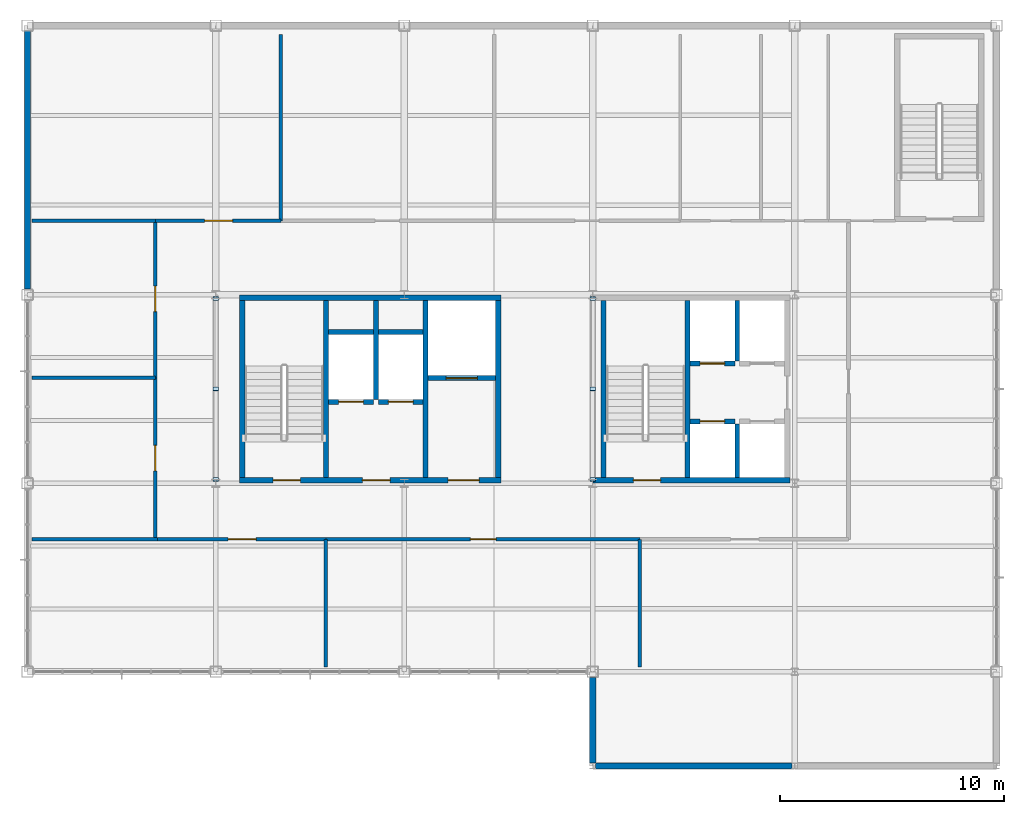
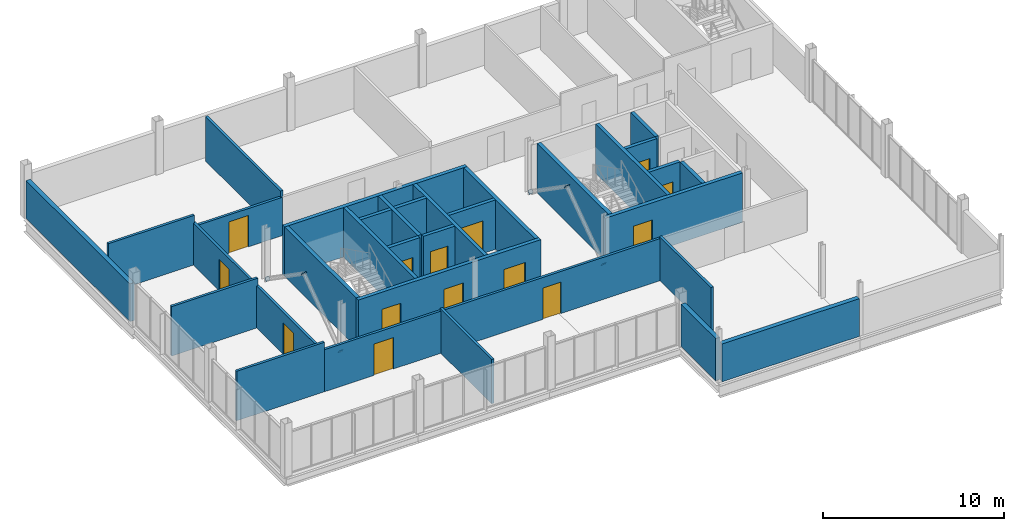
# One storey, part 12 of 16: 33 walls, 14 doors, 6 plates, 14 openings.
"""IFC4 building model written with IfcOpenShell, lengths in metres."""

from ifc_helpers import new_model, si_unit, direction, frame, frame_2d, origin, origin_2d, place, context, subcontext, project, spatial, rectangle, extrude, material, layer, layer_set, type_object, element, fill, save


model = new_model("IFC4")

# Units and contexts
model_context = context("Model", 3, precision=1e-05, world=origin(), true_north=direction((0.0, 1.0)))
body_context = subcontext(model_context, "Body", "Model", "MODEL_VIEW")
ifc_project = project(units=[si_unit("LENGTHUNIT", "METRE"), si_unit("AREAUNIT", "SQUARE_METRE"), si_unit("VOLUMEUNIT", "CUBIC_METRE"), si_unit("PLANEANGLEUNIT", "RADIAN"), si_unit("MASSUNIT", "GRAM", prefix="KILO")], contexts=[model_context])

# Site, building, storey
site_placement = place(None, origin())
site = spatial("IfcSite", under=ifc_project, at=site_placement, CompositionType="ELEMENT")
building_placement = place(site_placement, origin())
building = spatial("IfcBuilding", under=site, at=building_placement, Name="Yukiwa Park Conservatory and Herbarium", CompositionType="ELEMENT")
storey_placement = place(building_placement, frame((0.0, 0.0, 39.60009765625)))
storey = spatial("IfcBuildingStorey", under=building, at=storey_placement, Name="L10", CompositionType="ELEMENT", Elevation=39.60009765625)

# Plates
ifc_material_1 = material(Name="Steel Q355D", Category="steel")
ifc_layer_1 = layer(ifc_material_1, 0.02392578125)
ifc_layer_set_1 = layer_set([ifc_layer_1], Name="Steel Q355D")
plate_type = type_object("IfcPlateType", Name="PL-CAP-24-INT", PredefinedType="USERDEFINED", material=ifc_layer_set_1)
for number, where, z_axis, x_axis, name in (
    (1, (133.199951171875, 94.97705078125, 0.172607421875), (0.0, -0.822557603224, -0.56868179976), (1.0, 0.0, 0.0), "Hollow section end cap plate CAP-BR-L10-053A"),
    (2, (133.199951171875, 98.993408203125, 2.96240234375), (0.0, 0.822557603224, 0.56868179976), (-1.0, 0.0, 0.0), "Hollow section end cap plate CAP-BR-L10-053B"),
    (3, (133.199951171875, 103.02294921875, 0.172607421875), (0.0, 0.822557603224, -0.56868179976), (-1.0, 0.0, 0.0), "Hollow section end cap plate CAP-BR-L10-054A"),
    (4, (150.0, 94.97705078125, 0.172607421875), (0.0, -0.822557603224, -0.56868179976), (1.0, 0.0, 0.0), "Hollow section end cap plate CAP-BR-L10-055A"),
    (5, (150.0, 98.993408203125, 2.96240234375), (0.0, 0.822557603224, 0.56868179976), (-1.0, 0.0, 0.0), "Hollow section end cap plate CAP-BR-L10-055B"),
    (6, (150.0, 103.02294921875, 0.172607421875), (0.0, 0.822557603224, -0.56868179976), (-1.0, 0.0, 0.0), "Hollow section end cap plate CAP-BR-L10-056A"),
):
    element("IfcPlate", number, at=place(storey_placement, frame(where, z_axis=z_axis, x_axis=x_axis)), inside=storey, type_object=plate_type, Name=name, ObjectType="END CAP PLATE", PredefinedType="USERDEFINED", context=body_context, shape_type="SweptSolid", body=[
        extrude(rectangle(XDim=0.25244140625, YDim=0.25244140625, at=origin_2d()), origin(), (0.0, 0.0, 1.0), 0.02392578125),
    ])

# Walls
ifc_material_2 = material(Name="Concrete C40", Category="concrete")
ifc_layer_2 = layer(ifc_material_2, 0.219970703125)
ifc_layer_set_2 = layer_set([ifc_layer_2], Name="Concrete C40")
wall_type_1 = type_object("IfcWallType", Name="WL-CORE-RC220", PredefinedType="SHEAR", material=ifc_layer_set_2)
wall_1_placement = place(storey_placement, frame((138.110107421875, 95.050048828125, 0.0), z_axis=(0.0, 0.0, 1.0), x_axis=(0.0, 1.0, 0.0)))
element("IfcWall", 7, at=wall_1_placement, inside=storey, type_object=wall_type_1, Name="L10 core shear wall 615", PredefinedType="SHEAR", context=body_context, shape_type="SweptSolid", body=[
    extrude(rectangle(XDim=7.89990234375, YDim=0.219970703125, at=frame_2d((3.949951171875, 0.0))), origin(), (0.0, 0.0, 1.0), 3.341796875),
])
wall_2_placement = place(storey_placement, frame((140.330078125, 98.5400390625, 0.0), z_axis=(0.0, 0.0, 1.0), x_axis=(0.0, 1.0, 0.0)))
element("IfcWall", 8, at=wall_2_placement, inside=storey, type_object=wall_type_1, Name="L10 core shear wall 616", PredefinedType="SHEAR", context=body_context, shape_type="SweptSolid", body=[
    extrude(rectangle(XDim=4.409912109375, YDim=0.219970703125, at=frame_2d((2.205078125, 0.0))), origin(), (0.0, 0.0, 1.0), 3.341796875),
])
wall_3_placement = place(storey_placement, frame((142.550048828125, 95.050048828125, 0.0), z_axis=(0.0, 0.0, 1.0), x_axis=(0.0, 1.0, 0.0)))
element("IfcWall", 9, at=wall_3_placement, inside=storey, type_object=wall_type_1, Name="L10 core shear wall 617", PredefinedType="SHEAR", context=body_context, shape_type="SweptSolid", body=[
    extrude(rectangle(XDim=7.89990234375, YDim=0.219970703125, at=frame_2d((3.949951171875, 0.0))), origin(), (0.0, 0.0, 1.0), 3.341796875),
])

# Wall, opening, door
wall_4_placement = place(storey_placement, frame((138.219970703125, 98.429931640625, 0.0), z_axis=(0.0, 0.0, 1.0), x_axis=(1.0, 0.0, 0.0)))
wall_4 = element("IfcWall", 10, at=wall_4_placement, inside=storey, type_object=wall_type_1, Name="L10 core shear wall 619", PredefinedType="SHEAR", context=body_context, shape_type="SweptSolid", body=[
    extrude(rectangle(XDim=2.0, YDim=0.219970703125, at=frame_2d((1.0, 0.0))), origin(), (0.0, 0.0, 1.0), 3.341796875),
])
opening_1_placement = place(wall_4_placement, frame((0.449951171875, 0.0, 0.0)))
opening_1 = element("IfcOpeningElement", 11, at=opening_1_placement, cuts=wall_4, Name="Opening LD-01", PredefinedType="OPENING", context=body_context, shape_type="SweptSolid", body=[
    extrude(rectangle(XDim=1.10009765625, YDim=2.14990234375, at=frame_2d((0.550048828125, 1.074951171875))), frame((0.0, 0.1201171875, 0.0), z_axis=(0.0, -1.0, 0.0), x_axis=(1.0, 0.0, 0.0)), (0.0, 0.0, 1.0), 0.239990234375),
])
ifc_material_3 = material(Name="Steel Q235B", Category="steel")
door_type_1 = type_object("IfcDoorType", Name="DR-LIFT-LD1100", OperationType="SLIDING_TO_LEFT", PredefinedType="DOOR", material=ifc_material_3)
door_1_placement = place(opening_1_placement, origin())
door_1 = element("IfcDoor", 12, at=door_1_placement, inside=storey, type_object=door_type_1, Name="L10 Firefighting Lift FL1 sliding landing door", OperationType="SLIDING_TO_LEFT", OverallHeight=2.14990234375, OverallWidth=1.10009765625, PredefinedType="DOOR", context=body_context, shape_type="SweptSolid", body=[
    extrude(rectangle(XDim=1.10009765625, YDim=2.14990234375, at=frame_2d((0.550048828125, 1.074951171875))), frame((0.0, 0.02490234375, 0.0), z_axis=(0.0, -1.0, 0.0), x_axis=(1.0, 0.0, 0.0)), (0.0, 0.0, 1.0), 0.050048828125),
])
fill(opening_1, door_1)

wall_5_placement = place(storey_placement, frame((140.43994140625, 98.429931640625, 0.0), z_axis=(0.0, 0.0, 1.0), x_axis=(1.0, 0.0, 0.0)))
wall_5 = element("IfcWall", 13, at=wall_5_placement, inside=storey, type_object=wall_type_1, Name="L10 core shear wall 620", PredefinedType="SHEAR", context=body_context, shape_type="SweptSolid", body=[
    extrude(rectangle(XDim=2.0, YDim=0.219970703125, at=frame_2d((1.0, 0.0))), origin(), (0.0, 0.0, 1.0), 3.341796875),
])
opening_2_placement = place(wall_5_placement, frame((0.449951171875, 0.0, 0.0)))
opening_2 = element("IfcOpeningElement", 14, at=opening_2_placement, cuts=wall_5, Name="Opening LD-01", PredefinedType="OPENING", context=body_context, shape_type="SweptSolid", body=[
    extrude(rectangle(XDim=1.10009765625, YDim=2.14990234375, at=frame_2d((0.550048828125, 1.074951171875))), frame((0.0, 0.1201171875, 0.0), z_axis=(0.0, -1.0, 0.0), x_axis=(1.0, 0.0, 0.0)), (0.0, 0.0, 1.0), 0.239990234375),
])
door_2_placement = place(opening_2_placement, origin())
door_2 = element("IfcDoor", 15, at=door_2_placement, inside=storey, type_object=door_type_1, Name="L10 Firefighting Lift FL2 sliding landing door", OperationType="SLIDING_TO_LEFT", OverallHeight=2.14990234375, OverallWidth=1.10009765625, PredefinedType="DOOR", context=body_context, shape_type="SweptSolid", body=[
    extrude(rectangle(XDim=1.10009765625, YDim=2.14990234375, at=frame_2d((0.550048828125, 1.074951171875))), frame((0.0, 0.02490234375, 0.0), z_axis=(0.0, -1.0, 0.0), x_axis=(1.0, 0.0, 0.0)), (0.0, 0.0, 1.0), 0.050048828125),
])
fill(opening_2, door_2)

# Walls
for number, where, z_axis, x_axis, name in (
    (16, (138.219970703125, 101.550048828125, 0.0), (0.0, 0.0, 1.0), (1.0, 0.0, 0.0), "L10 core shear wall 621"),
    (17, (140.43994140625, 101.550048828125, 0.0), (0.0, 0.0, 1.0), (1.0, 0.0, 0.0), "L10 core shear wall 622"),
):
    element("IfcWall", number, at=place(storey_placement, frame(where, z_axis=z_axis, x_axis=x_axis)), inside=storey, type_object=wall_type_1, Name=name, PredefinedType="SHEAR", context=body_context, shape_type="SweptSolid", body=[
        extrude(rectangle(XDim=2.0, YDim=0.219970703125, at=frame_2d((1.0, 0.0))), origin(), (0.0, 0.0, 1.0), 3.341796875),
    ])

# Wall, opening, door
wall_6_placement = place(storey_placement, frame((142.659912109375, 99.489990234375, 0.0), z_axis=(0.0, 0.0, 1.0), x_axis=(1.0, 0.0, 0.0)))
wall_6 = element("IfcWall", 18, at=wall_6_placement, inside=storey, type_object=wall_type_1, Name="L10 core shear wall 623", PredefinedType="SHEAR", context=body_context, shape_type="SweptSolid", body=[
    extrude(rectangle(XDim=3.0, YDim=0.219970703125, at=frame_2d((1.5, 0.0))), origin(), (0.0, 0.0, 1.0), 3.341796875),
])
opening_3_placement = place(wall_6_placement, frame((0.800048828125, 0.0, 0.0)))
opening_3 = element("IfcOpeningElement", 19, at=opening_3_placement, cuts=wall_6, Name="Opening LD-02", PredefinedType="OPENING", context=body_context, shape_type="SweptSolid", body=[
    extrude(rectangle(XDim=1.39990234375, YDim=2.199951171875, at=frame_2d((0.699951171875, 1.10009765625))), frame((0.0, 0.1201171875, 0.0), z_axis=(0.0, -1.0, 0.0), x_axis=(1.0, 0.0, 0.0)), (0.0, 0.0, 1.0), 0.239990234375),
])
ifc_material_4 = material(Name="Steel Q235B", Category="steel")
door_type_2 = type_object("IfcDoorType", Name="DR-LIFT-LD1400", OperationType="SLIDING_TO_LEFT", PredefinedType="DOOR", material=ifc_material_4)
door_3_placement = place(opening_3_placement, origin())
door_3 = element("IfcDoor", 20, at=door_3_placement, inside=storey, type_object=door_type_2, Name="L10 Goods Lift GL1 sliding landing door", OperationType="SLIDING_TO_LEFT", OverallHeight=2.199951171875, OverallWidth=1.39990234375, PredefinedType="DOOR", context=body_context, shape_type="SweptSolid", body=[
    extrude(rectangle(XDim=1.39990234375, YDim=2.199951171875, at=frame_2d((0.699951171875, 1.10009765625))), frame((0.0, 0.02490234375, 0.0), z_axis=(0.0, -1.0, 0.0), x_axis=(1.0, 0.0, 0.0)), (0.0, 0.0, 1.0), 0.050048828125),
])
fill(opening_3, door_3)

# Walls
wall_7_placement = place(storey_placement, frame((154.219970703125, 95.050048828125, 0.0), z_axis=(0.0, 0.0, 1.0), x_axis=(0.0, 1.0, 0.0)))
element("IfcWall", 21, at=wall_7_placement, inside=storey, type_object=wall_type_1, Name="L10 core shear wall 627", PredefinedType="SHEAR", context=body_context, shape_type="SweptSolid", body=[
    extrude(rectangle(XDim=7.89990234375, YDim=0.219970703125, at=frame_2d((3.949951171875, 0.0))), origin(), (0.0, 0.0, 1.0), 3.341796875),
])
wall_8_placement = place(storey_placement, frame((156.43994140625, 100.25, 0.0), z_axis=(0.0, 0.0, 1.0), x_axis=(0.0, 1.0, 0.0)))
element("IfcWall", 22, at=wall_8_placement, inside=storey, type_object=wall_type_1, Name="L10 core shear wall 629", PredefinedType="SHEAR", context=body_context, shape_type="SweptSolid", body=[
    extrude(rectangle(XDim=2.699951171875, YDim=0.219970703125, at=frame_2d((1.35009765625, 0.0))), origin(), (0.0, 0.0, 1.0), 3.341796875),
])

# Wall, opening, door
wall_9_placement = place(storey_placement, frame((154.330078125, 100.139892578125, 0.0), z_axis=(0.0, 0.0, 1.0), x_axis=(1.0, 0.0, 0.0)))
wall_9 = element("IfcWall", 23, at=wall_9_placement, inside=storey, type_object=wall_type_1, Name="L10 core shear wall 630", PredefinedType="SHEAR", context=body_context, shape_type="SweptSolid", body=[
    extrude(rectangle(XDim=2.0, YDim=0.219970703125, at=frame_2d((1.0, 0.0))), origin(), (0.0, 0.0, 1.0), 3.341796875),
])
opening_4_placement = place(wall_9_placement, frame((0.449951171875, 0.0, 0.0)))
opening_4 = element("IfcOpeningElement", 24, at=opening_4_placement, cuts=wall_9, Name="Opening LD-01", PredefinedType="OPENING", context=body_context, shape_type="SweptSolid", body=[
    extrude(rectangle(XDim=1.10009765625, YDim=2.14990234375, at=frame_2d((0.550048828125, 1.074951171875))), frame((0.0, 0.1201171875, 0.0), z_axis=(0.0, -1.0, 0.0), x_axis=(1.0, 0.0, 0.0)), (0.0, 0.0, 1.0), 0.239990234375),
])
door_4_placement = place(opening_4_placement, origin())
door_4 = element("IfcDoor", 25, at=door_4_placement, inside=storey, type_object=door_type_1, Name="L10 Passenger Lift LP1 sliding landing door", OperationType="SLIDING_TO_LEFT", OverallHeight=2.14990234375, OverallWidth=1.10009765625, PredefinedType="DOOR", context=body_context, shape_type="SweptSolid", body=[
    extrude(rectangle(XDim=1.10009765625, YDim=2.14990234375, at=frame_2d((0.550048828125, 1.074951171875))), frame((0.0, 0.02490234375, 0.0), z_axis=(0.0, -1.0, 0.0), x_axis=(1.0, 0.0, 0.0)), (0.0, 0.0, 1.0), 0.050048828125),
])
fill(opening_4, door_4)

# Wall
wall_10_placement = place(storey_placement, frame((156.43994140625, 95.050048828125, 0.0), z_axis=(0.0, 0.0, 1.0), x_axis=(0.0, 1.0, 0.0)))
element("IfcWall", 26, at=wall_10_placement, inside=storey, type_object=wall_type_1, Name="L10 core shear wall 632", PredefinedType="SHEAR", context=body_context, shape_type="SweptSolid", body=[
    extrude(rectangle(XDim=2.39990234375, YDim=0.219970703125, at=frame_2d((1.199951171875, 0.0))), origin(), (0.0, 0.0, 1.0), 3.341796875),
])

# Wall, opening, door
wall_11_placement = place(storey_placement, frame((154.330078125, 97.56005859375, 0.0), z_axis=(0.0, 0.0, 1.0), x_axis=(1.0, 0.0, 0.0)))
wall_11 = element("IfcWall", 27, at=wall_11_placement, inside=storey, type_object=wall_type_1, Name="L10 core shear wall 633", PredefinedType="SHEAR", context=body_context, shape_type="SweptSolid", body=[
    extrude(rectangle(XDim=2.0, YDim=0.219970703125, at=frame_2d((1.0, 0.0))), origin(), (0.0, 0.0, 1.0), 3.341796875),
])
opening_5_placement = place(wall_11_placement, frame((0.449951171875, 0.0, 0.0)))
opening_5 = element("IfcOpeningElement", 28, at=opening_5_placement, cuts=wall_11, Name="Opening LD-01", PredefinedType="OPENING", context=body_context, shape_type="SweptSolid", body=[
    extrude(rectangle(XDim=1.10009765625, YDim=2.14990234375, at=frame_2d((0.550048828125, 1.074951171875))), frame((0.0, 0.1201171875, 0.0), z_axis=(0.0, -1.0, 0.0), x_axis=(1.0, 0.0, 0.0)), (0.0, 0.0, 1.0), 0.239990234375),
])
door_5_placement = place(opening_5_placement, origin())
door_5 = element("IfcDoor", 29, at=door_5_placement, inside=storey, type_object=door_type_1, Name="L10 Passenger Lift LP3 sliding landing door", OperationType="SLIDING_TO_LEFT", OverallHeight=2.14990234375, OverallWidth=1.10009765625, PredefinedType="DOOR", context=body_context, shape_type="SweptSolid", body=[
    extrude(rectangle(XDim=1.10009765625, YDim=2.14990234375, at=frame_2d((0.550048828125, 1.074951171875))), frame((0.0, 0.02490234375, 0.0), z_axis=(0.0, -1.0, 0.0), x_axis=(1.0, 0.0, 0.0)), (0.0, 0.0, 1.0), 0.050048828125),
])
fill(opening_5, door_5)

# Wall, openings, doors
ifc_material_5 = material(Name="Concrete C50", Category="concrete")
ifc_layer_3 = layer(ifc_material_5, 0.239990234375)
ifc_layer_set_3 = layer_set([ifc_layer_3], Name="Concrete C50")
wall_type_2 = type_object("IfcWallType", Name="WL-CORE-RC240", PredefinedType="SHEAR", material=ifc_layer_set_3)
wall_12_placement = place(storey_placement, frame((134.25, 94.929931640625, 0.0), z_axis=(0.0, 0.0, 1.0), x_axis=(1.0, 0.0, 0.0)))
wall_12 = element("IfcWall", 30, at=wall_12_placement, inside=storey, type_object=wall_type_2, Name="L10 core shear wall 612", PredefinedType="SHEAR", context=body_context, shape_type="SweptSolid", body=[
    extrude(rectangle(XDim=11.64990234375, YDim=0.239990234375, at=frame_2d((5.824951171875, 0.0))), origin(), (0.0, 0.0, 1.0), 3.341796875),
])
opening_6_placement = place(wall_12_placement, frame((1.5, 0.0, 0.0)))
opening_6 = element("IfcOpeningElement", 31, at=opening_6_placement, cuts=wall_12, Name="Opening SD-01", PredefinedType="OPENING", context=body_context, shape_type="SweptSolid", body=[
    extrude(rectangle(XDim=1.219970703125, YDim=2.179931640625, at=frame_2d((0.60986328125, 1.08984375))), frame((0.0, 0.1298828125, 0.0), z_axis=(0.0, -1.0, 0.0), x_axis=(1.0, 0.0, 0.0)), (0.0, 0.0, 1.0), 0.260009765625),
])
opening_7_placement = place(wall_12_placement, frame((5.47998046875, 0.0, 0.0)))
opening_7 = element("IfcOpeningElement", 32, at=opening_7_placement, cuts=wall_12, Name="Opening FD-02", PredefinedType="OPENING", context=body_context, shape_type="SweptSolid", body=[
    extrude(rectangle(XDim=1.239990234375, YDim=2.14990234375, at=frame_2d((0.6201171875, 1.074951171875))), frame((0.0, 0.1298828125, 0.0), z_axis=(0.0, -1.0, 0.0), x_axis=(1.0, 0.0, 0.0)), (0.0, 0.0, 1.0), 0.260009765625),
])
opening_8_placement = place(wall_12_placement, frame((9.300048828125, 0.0, 0.0)))
opening_8 = element("IfcOpeningElement", 33, at=opening_8_placement, cuts=wall_12, Name="Opening FD-06", PredefinedType="OPENING", context=body_context, shape_type="SweptSolid", body=[
    extrude(rectangle(XDim=1.3798828125, YDim=2.14990234375, at=frame_2d((0.68994140625, 1.074951171875))), frame((0.0, 0.1298828125, 0.0), z_axis=(0.0, -1.0, 0.0), x_axis=(1.0, 0.0, 0.0)), (0.0, 0.0, 1.0), 0.260009765625),
])
ifc_material_6 = material(Name="Steel Q235B", Category="steel")
door_type_3 = type_object("IfcDoorType", Name="DR-FIRE-FD60-1400", OperationType="DOUBLE_DOOR_SINGLE_SWING", PredefinedType="DOOR", material=ifc_material_6)
door_6_placement = place(opening_8_placement, frame((1.3798828125, 0.0, 0.0), z_axis=(0.0, 0.0, 1.0), x_axis=(-1.0, 0.0, 0.0)))
door_6 = element("IfcDoor", 34, at=door_6_placement, inside=storey, type_object=door_type_3, Name="L10 Goods Lift Lobby double fire door", OperationType="DOUBLE_DOOR_SINGLE_SWING", OverallHeight=2.14990234375, OverallWidth=1.3798828125, PredefinedType="DOOR", context=body_context, shape_type="SweptSolid", body=[
    extrude(rectangle(XDim=1.3798828125, YDim=2.14990234375, at=frame_2d((0.68994140625, 1.074951171875))), frame((0.0, 0.02490234375, 0.0), z_axis=(0.0, -1.0, 0.0), x_axis=(1.0, 0.0, 0.0)), (0.0, 0.0, 1.0), 0.050048828125),
])
fill(opening_8, door_6)
ifc_material_7 = material(Name="Steel Q235B", Category="steel")
door_type_4 = type_object("IfcDoorType", Name="DR-FIRE-FD90-1200", OperationType="SINGLE_SWING_RIGHT", PredefinedType="DOOR", material=ifc_material_7)
door_7_placement = place(opening_7_placement, frame((1.239990234375, 0.0, 0.0), z_axis=(0.0, 0.0, 1.0), x_axis=(-1.0, 0.0, 0.0)))
door_7 = element("IfcDoor", 35, at=door_7_placement, inside=storey, type_object=door_type_4, Name="L10 Firefighting Lift Lobby fire door", OperationType="SINGLE_SWING_RIGHT", OverallHeight=2.14990234375, OverallWidth=1.239990234375, PredefinedType="DOOR", context=body_context, shape_type="SweptSolid", body=[
    extrude(rectangle(XDim=1.239990234375, YDim=2.14990234375, at=frame_2d((0.6201171875, 1.074951171875))), frame((0.0, 0.02490234375, 0.0), z_axis=(0.0, -1.0, 0.0), x_axis=(1.0, 0.0, 0.0)), (0.0, 0.0, 1.0), 0.050048828125),
])
fill(opening_7, door_7)
ifc_material_8 = material(Name="Steel Q235B", Category="steel")
door_type_5 = type_object("IfcDoorType", Name="DR-STAIR-FD90-1200", OperationType="SINGLE_SWING_LEFT", PredefinedType="DOOR", material=ifc_material_8)
door_8_placement = place(opening_6_placement, origin())
door_8 = element("IfcDoor", 36, at=door_8_placement, inside=storey, type_object=door_type_5, Name="L10 Stairwell ST-T1 fire door", OperationType="SINGLE_SWING_LEFT", OverallHeight=2.179931640625, OverallWidth=1.219970703125, PredefinedType="DOOR", context=body_context, shape_type="SweptSolid", body=[
    extrude(rectangle(XDim=1.219970703125, YDim=2.179931640625, at=frame_2d((0.60986328125, 1.08984375))), frame((0.0, 0.02490234375, 0.0), z_axis=(0.0, -1.0, 0.0), x_axis=(1.0, 0.0, 0.0)), (0.0, 0.0, 1.0), 0.050048828125),
])
fill(opening_6, door_8)

# Walls
wall_13_placement = place(storey_placement, frame((134.25, 103.070068359375, 0.0), z_axis=(0.0, 0.0, 1.0), x_axis=(1.0, 0.0, 0.0)))
element("IfcWall", 37, at=wall_13_placement, inside=storey, type_object=wall_type_2, Name="L10 core shear wall 613", PredefinedType="SHEAR", context=body_context, shape_type="SweptSolid", body=[
    extrude(rectangle(XDim=11.64990234375, YDim=0.239990234375, at=frame_2d((5.824951171875, 0.0))), origin(), (0.0, 0.0, 1.0), 3.341796875),
])
for number, where, z_axis, x_axis, name in (
    (38, (134.3701171875, 95.050048828125, 0.0), (0.0, 0.0, 1.0), (0.0, 1.0, 0.0), "L10 core shear wall 614"),
    (39, (145.780029296875, 95.050048828125, 0.0), (0.0, 0.0, 1.0), (0.0, 1.0, 0.0), "L10 core shear wall 618"),
):
    element("IfcWall", number, at=place(storey_placement, frame(where, z_axis=z_axis, x_axis=x_axis)), inside=storey, type_object=wall_type_2, Name=name, PredefinedType="SHEAR", context=body_context, shape_type="SweptSolid", body=[
        extrude(rectangle(XDim=7.89990234375, YDim=0.239990234375, at=frame_2d((3.949951171875, 0.0))), origin(), (0.0, 0.0, 1.0), 3.341796875),
    ])

# Wall, opening, door
wall_14_placement = place(storey_placement, frame((150.02001953125, 94.929931640625, 0.0), z_axis=(0.0, 0.0, 1.0), x_axis=(1.0, 0.0, 0.0)))
wall_14 = element("IfcWall", 40, at=wall_14_placement, inside=storey, type_object=wall_type_2, Name="L10 core shear wall 624", PredefinedType="SHEAR", context=body_context, shape_type="SweptSolid", body=[
    extrude(rectangle(XDim=8.77001953125, YDim=0.239990234375, at=frame_2d((4.385009765625, 0.0))), origin(), (0.0, 0.0, 1.0), 3.341796875),
])
opening_9_placement = place(wall_14_placement, frame((1.7900390625, 0.0, 0.0)))
opening_9 = element("IfcOpeningElement", 41, at=opening_9_placement, cuts=wall_14, Name="Opening SD-01", PredefinedType="OPENING", context=body_context, shape_type="SweptSolid", body=[
    extrude(rectangle(XDim=1.219970703125, YDim=2.179931640625, at=frame_2d((0.60986328125, 1.08984375))), frame((0.0, 0.1298828125, 0.0), z_axis=(0.0, -1.0, 0.0), x_axis=(1.0, 0.0, 0.0)), (0.0, 0.0, 1.0), 0.260009765625),
])
door_9_placement = place(opening_9_placement, origin())
door_9 = element("IfcDoor", 42, at=door_9_placement, inside=storey, type_object=door_type_5, Name="L10 Stairwell ST-T2 fire door", OperationType="SINGLE_SWING_LEFT", OverallHeight=2.179931640625, OverallWidth=1.219970703125, PredefinedType="DOOR", context=body_context, shape_type="SweptSolid", body=[
    extrude(rectangle(XDim=1.219970703125, YDim=2.179931640625, at=frame_2d((0.60986328125, 1.08984375))), frame((0.0, 0.02490234375, 0.0), z_axis=(0.0, -1.0, 0.0), x_axis=(1.0, 0.0, 0.0)), (0.0, 0.0, 1.0), 0.050048828125),
])
fill(opening_9, door_9)

# Walls
wall_15_placement = place(storey_placement, frame((150.47998046875, 95.050048828125, 0.0), z_axis=(0.0, 0.0, 1.0), x_axis=(0.0, 1.0, 0.0)))
element("IfcWall", 43, at=wall_15_placement, inside=storey, type_object=wall_type_2, Name="L10 core shear wall 626", PredefinedType="SHEAR", context=body_context, shape_type="SweptSolid", body=[
    extrude(rectangle(XDim=7.89990234375, YDim=0.239990234375, at=frame_2d((3.949951171875, 0.0))), origin(), (0.0, 0.0, 1.0), 3.341796875),
])
ifc_material_9 = material(Name="Pale Granite Cladding", Category="masonry")
ifc_layer_4 = layer(ifc_material_9, 0.280029296875)
ifc_layer_set_4 = layer_set([ifc_layer_4], Name="Pale Granite Cladding")
wall_type_3 = type_object("IfcWallType", Name="WL-EXT-GRAN-280", PredefinedType="SOLIDWALL", material=ifc_layer_set_4)
wall_16_placement = place(storey_placement, frame((124.800048828125, 114.949951171875, 0.0), z_axis=(0.0, 0.0, 1.0), x_axis=(0.0, -1.0, 0.0)))
element("IfcWall", 44, at=wall_16_placement, inside=storey, type_object=wall_type_3, Name="L10 exterior envelope wall 355", PredefinedType="SOLIDWALL", context=body_context, shape_type="SweptSolid", body=[
    extrude(rectangle(XDim=11.5, YDim=0.280029296875, at=frame_2d((5.75, 0.0))), origin(), (0.0, 0.0, 1.0), 2.5498046875),
])
wall_17_placement = place(storey_placement, frame((150.0, 86.14990234375, 0.0), z_axis=(0.0, 0.0, 1.0), x_axis=(0.0, -1.0, 0.0)))
element("IfcWall", 45, at=wall_17_placement, inside=storey, type_object=wall_type_3, Name="L10 exterior envelope wall 356", PredefinedType="SOLIDWALL", context=body_context, shape_type="SweptSolid", body=[
    extrude(rectangle(XDim=3.824951171875, YDim=0.280029296875, at=frame_2d((1.91259765625, 0.0))), origin(), (0.0, 0.0, 1.0), 2.847900390625),
])
wall_18_placement = place(storey_placement, frame((150.125, 82.199951171875, 0.0), z_axis=(0.0, 0.0, 1.0), x_axis=(1.0, 0.0, 0.0)))
element("IfcWall", 46, at=wall_18_placement, inside=storey, type_object=wall_type_3, Name="L10 exterior envelope wall 357", PredefinedType="SOLIDWALL", context=body_context, shape_type="SweptSolid", body=[
    extrude(rectangle(XDim=8.75, YDim=0.280029296875, at=frame_2d((4.375, 0.0))), origin(), (0.0, 0.0, 1.0), 2.5498046875),
])

# Wall, opening, door
ifc_material_10 = material(Name="Gypsum Board Partition", Category="gypsum")
ifc_layer_5 = layer(ifc_material_10, 0.159912109375)
ifc_layer_set_5 = layer_set([ifc_layer_5], Name="Gypsum Board Partition")
wall_type_4 = type_object("IfcWallType", Name="WL-PART-GYP-160", PredefinedType="PARTITIONING", material=ifc_layer_set_5)
wall_19_placement = place(storey_placement, frame((130.60009765625, 92.300048828125, 0.0), z_axis=(0.0, 0.0, 1.0), x_axis=(1.0, 0.0, 0.0)))
wall_19 = element("IfcWall", 47, at=wall_19_placement, inside=storey, type_object=wall_type_4, Name="L10 interior partition wall 646", PredefinedType="PARTITIONING", context=body_context, shape_type="SweptSolid", body=[
    extrude(rectangle(XDim=7.5, YDim=0.159912109375, at=frame_2d((3.75, 0.0))), origin(), (0.0, 0.0, 1.0), 2.841796875),
])
opening_10_placement = place(wall_19_placement, frame((3.14990234375, 0.0, 0.0)))
opening_10 = element("IfcOpeningElement", 48, at=opening_10_placement, cuts=wall_19, Name="Opening LD-12", PredefinedType="OPENING", context=body_context, shape_type="SweptSolid", body=[
    extrude(rectangle(XDim=1.25, YDim=2.1201171875, at=frame_2d((0.625, 1.06005859375))), frame((0.0, 0.08984375, 0.0), z_axis=(0.0, -1.0, 0.0), x_axis=(1.0, 0.0, 0.0)), (0.0, 0.0, 1.0), 0.179931640625),
])
ifc_material_11 = material(Name="Steel Q235B", Category="steel")
door_type_6 = type_object("IfcDoorType", Name="DR-LAB-1200", OperationType="SINGLE_SWING_LEFT", PredefinedType="DOOR", material=ifc_material_11)
door_10_placement = place(opening_10_placement, origin())
door_10 = element("IfcDoor", 49, at=door_10_placement, inside=storey, type_object=door_type_6, Name="L10 Mass Spec Lab door", OperationType="SINGLE_SWING_LEFT", OverallHeight=2.1201171875, OverallWidth=1.25, PredefinedType="DOOR", context=body_context, shape_type="SweptSolid", body=[
    extrude(rectangle(XDim=1.25, YDim=2.1201171875, at=frame_2d((0.625, 1.06005859375))), frame((0.0, 0.02490234375, 0.0), z_axis=(0.0, -1.0, 0.0), x_axis=(1.0, 0.0, 0.0)), (0.0, 0.0, 1.0), 0.050048828125),
])
fill(opening_10, door_10)

wall_20_placement = place(storey_placement, frame((138.10009765625, 92.300048828125, 0.0), z_axis=(0.0, 0.0, 1.0), x_axis=(1.0, 0.0, 0.0)))
wall_20 = element("IfcWall", 50, at=wall_20_placement, inside=storey, type_object=wall_type_4, Name="L10 interior partition wall 647", PredefinedType="PARTITIONING", context=body_context, shape_type="SweptSolid", body=[
    extrude(rectangle(XDim=14.0, YDim=0.159912109375, at=frame_2d((7.0, 0.0))), origin(), (0.0, 0.0, 1.0), 2.841796875),
])
opening_11_placement = place(wall_20_placement, frame((6.449951171875, 0.0, 0.0)))
opening_11 = element("IfcOpeningElement", 51, at=opening_11_placement, cuts=wall_20, Name="Opening LD-11", PredefinedType="OPENING", context=body_context, shape_type="SweptSolid", body=[
    extrude(rectangle(XDim=1.139892578125, YDim=2.1201171875, at=frame_2d((0.56982421875, 1.06005859375))), frame((0.0, 0.08984375, 0.0), z_axis=(0.0, -1.0, 0.0), x_axis=(1.0, 0.0, 0.0)), (0.0, 0.0, 1.0), 0.179931640625),
])
ifc_material_12 = material(Name="Steel Q235B", Category="steel")
door_type_7 = type_object("IfcDoorType", Name="DR-LAB-1100", OperationType="SINGLE_SWING_RIGHT", PredefinedType="DOOR", material=ifc_material_12)
door_11_placement = place(opening_11_placement, origin())
door_11 = element("IfcDoor", 52, at=door_11_placement, inside=storey, type_object=door_type_7, Name="L10 Prep Room door", OperationType="SINGLE_SWING_RIGHT", OverallHeight=2.1201171875, OverallWidth=1.139892578125, PredefinedType="DOOR", context=body_context, shape_type="SweptSolid", body=[
    extrude(rectangle(XDim=1.139892578125, YDim=2.1201171875, at=frame_2d((0.56982421875, 1.06005859375))), frame((0.0, 0.02490234375, 0.0), z_axis=(0.0, -1.0, 0.0), x_axis=(1.0, 0.0, 0.0)), (0.0, 0.0, 1.0), 0.050048828125),
])
fill(opening_11, door_11)

# Walls
wall_21_placement = place(storey_placement, frame((125.0, 92.300048828125, 0.0), z_axis=(0.0, 0.0, 1.0), x_axis=(1.0, 0.0, 0.0)))
element("IfcWall", 53, at=wall_21_placement, inside=storey, type_object=wall_type_4, Name="L10 interior partition wall 649", PredefinedType="PARTITIONING", context=body_context, shape_type="SweptSolid", body=[
    extrude(rectangle(XDim=5.60009765625, YDim=0.159912109375, at=frame_2d((2.800048828125, 0.0))), origin(), (0.0, 0.0, 1.0), 3.341796875),
])
wall_22_placement = place(storey_placement, frame((138.10009765625, 86.60009765625, 0.0), z_axis=(0.0, 0.0, 1.0), x_axis=(0.0, 1.0, 0.0)))
element("IfcWall", 54, at=wall_22_placement, inside=storey, type_object=wall_type_4, Name="L10 interior partition wall 650", PredefinedType="PARTITIONING", context=body_context, shape_type="SweptSolid", body=[
    extrude(rectangle(XDim=5.699951171875, YDim=0.159912109375, at=frame_2d((2.85009765625, 0.0))), origin(), (0.0, 0.0, 1.0), 2.991943359375),
])
wall_23_placement = place(storey_placement, frame((152.10009765625, 86.60009765625, 0.0), z_axis=(0.0, 0.0, 1.0), x_axis=(0.0, 1.0, 0.0)))
element("IfcWall", 55, at=wall_23_placement, inside=storey, type_object=wall_type_4, Name="L10 interior partition wall 651", PredefinedType="PARTITIONING", context=body_context, shape_type="SweptSolid", body=[
    extrude(rectangle(XDim=5.699951171875, YDim=0.159912109375, at=frame_2d((2.85009765625, 0.0))), origin(), (0.0, 0.0, 1.0), 2.94189453125),
])

# Wall, opening, door
wall_24_placement = place(storey_placement, frame((130.5, 92.300048828125, 0.0), z_axis=(0.0, 0.0, 1.0), x_axis=(0.0, 1.0, 0.0)))
wall_24 = element("IfcWall", 56, at=wall_24_placement, inside=storey, type_object=wall_type_4, Name="L10 interior partition wall 652", PredefinedType="PARTITIONING", context=body_context, shape_type="SweptSolid", body=[
    extrude(rectangle(XDim=7.199951171875, YDim=0.159912109375, at=frame_2d((3.60009765625, 0.0))), origin(), (0.0, 0.0, 1.0), 2.841796875),
])
opening_12_placement = place(wall_24_placement, frame((3.050048828125, 0.0, 0.0)))
opening_12 = element("IfcOpeningElement", 57, at=opening_12_placement, cuts=wall_24, Name="Opening LD-11", PredefinedType="OPENING", context=body_context, shape_type="SweptSolid", body=[
    extrude(rectangle(XDim=1.139892578125, YDim=2.1201171875, at=frame_2d((0.56982421875, 1.06005859375))), frame((0.0, 0.08984375, 0.0), z_axis=(0.0, -1.0, 0.0), x_axis=(1.0, 0.0, 0.0)), (0.0, 0.0, 1.0), 0.179931640625),
])
door_12_placement = place(opening_12_placement, origin())
door_12 = element("IfcDoor", 58, at=door_12_placement, inside=storey, type_object=door_type_7, Name="L10 Cold Chamber 1 door", OperationType="SINGLE_SWING_RIGHT", OverallHeight=2.1201171875, OverallWidth=1.139892578125, PredefinedType="DOOR", context=body_context, shape_type="SweptSolid", body=[
    extrude(rectangle(XDim=1.139892578125, YDim=2.1201171875, at=frame_2d((0.56982421875, 1.06005859375))), frame((0.0, 0.02490234375, 0.0), z_axis=(0.0, -1.0, 0.0), x_axis=(1.0, 0.0, 0.0)), (0.0, 0.0, 1.0), 0.050048828125),
])
fill(opening_12, door_12)

wall_25_placement = place(storey_placement, frame((130.5, 99.5, 0.0), z_axis=(0.0, 0.0, 1.0), x_axis=(0.0, 1.0, 0.0)))
wall_25 = element("IfcWall", 59, at=wall_25_placement, inside=storey, type_object=wall_type_4, Name="L10 interior partition wall 653", PredefinedType="PARTITIONING", context=body_context, shape_type="SweptSolid", body=[
    extrude(rectangle(XDim=7.0, YDim=0.159912109375, at=frame_2d((3.5, 0.0))), origin(), (0.0, 0.0, 1.0), 2.841796875),
])
opening_13_placement = place(wall_25_placement, frame((2.949951171875, 0.0, 0.0)))
opening_13 = element("IfcOpeningElement", 60, at=opening_13_placement, cuts=wall_25, Name="Opening LD-11", PredefinedType="OPENING", context=body_context, shape_type="SweptSolid", body=[
    extrude(rectangle(XDim=1.139892578125, YDim=2.1201171875, at=frame_2d((0.56982421875, 1.06005859375))), frame((0.0, 0.08984375, 0.0), z_axis=(0.0, -1.0, 0.0), x_axis=(1.0, 0.0, 0.0)), (0.0, 0.0, 1.0), 0.179931640625),
])
door_13_placement = place(opening_13_placement, origin())
door_13 = element("IfcDoor", 61, at=door_13_placement, inside=storey, type_object=door_type_7, Name="L10 Cold Chamber 2 door", OperationType="SINGLE_SWING_RIGHT", OverallHeight=2.1201171875, OverallWidth=1.139892578125, PredefinedType="DOOR", context=body_context, shape_type="SweptSolid", body=[
    extrude(rectangle(XDim=1.139892578125, YDim=2.1201171875, at=frame_2d((0.56982421875, 1.06005859375))), frame((0.0, 0.02490234375, 0.0), z_axis=(0.0, -1.0, 0.0), x_axis=(1.0, 0.0, 0.0)), (0.0, 0.0, 1.0), 0.050048828125),
])
fill(opening_13, door_13)

# Walls
for number, where, z_axis, x_axis, name in (
    (62, (125.0, 99.5, 0.0), (0.0, 0.0, 1.0), (1.0, 0.0, 0.0), "L10 interior partition wall 654"),
    (63, (125.0, 106.5, 0.0), (0.0, 0.0, 1.0), (1.0, 0.0, 0.0), "L10 interior partition wall 655"),
):
    element("IfcWall", number, at=place(storey_placement, frame(where, z_axis=z_axis, x_axis=x_axis)), inside=storey, type_object=wall_type_4, Name=name, PredefinedType="PARTITIONING", context=body_context, shape_type="SweptSolid", body=[
        extrude(rectangle(XDim=5.5, YDim=0.159912109375, at=frame_2d((2.75, 0.0))), origin(), (0.0, 0.0, 1.0), 3.341796875),
    ])

# Wall, opening, door
wall_26_placement = place(storey_placement, frame((130.5, 106.5, 0.0), z_axis=(0.0, 0.0, 1.0), x_axis=(1.0, 0.0, 0.0)))
wall_26 = element("IfcWall", 64, at=wall_26_placement, inside=storey, type_object=wall_type_4, Name="L10 interior partition wall 656", PredefinedType="PARTITIONING", context=body_context, shape_type="SweptSolid", body=[
    extrude(rectangle(XDim=5.60009765625, YDim=0.159912109375, at=frame_2d((2.800048828125, 0.0))), origin(), (0.0, 0.0, 1.0), 2.591796875),
])
opening_14_placement = place(wall_26_placement, frame((2.199951171875, 0.0, 0.0)))
opening_14 = element("IfcOpeningElement", 65, at=opening_14_placement, cuts=wall_26, Name="Opening LD-12", PredefinedType="OPENING", context=body_context, shape_type="SweptSolid", body=[
    extrude(rectangle(XDim=1.25, YDim=2.1201171875, at=frame_2d((0.625, 1.06005859375))), frame((0.0, 0.08984375, 0.0), z_axis=(0.0, -1.0, 0.0), x_axis=(1.0, 0.0, 0.0)), (0.0, 0.0, 1.0), 0.179931640625),
])
door_14_placement = place(opening_14_placement, origin())
door_14 = element("IfcDoor", 66, at=door_14_placement, inside=storey, type_object=door_type_6, Name="L10 Dendrochronology Lab door", OperationType="SINGLE_SWING_LEFT", OverallHeight=2.1201171875, OverallWidth=1.25, PredefinedType="DOOR", context=body_context, shape_type="SweptSolid", body=[
    extrude(rectangle(XDim=1.25, YDim=2.1201171875, at=frame_2d((0.625, 1.06005859375))), frame((0.0, 0.02490234375, 0.0), z_axis=(0.0, -1.0, 0.0), x_axis=(1.0, 0.0, 0.0)), (0.0, 0.0, 1.0), 0.050048828125),
])
fill(opening_14, door_14)

# Wall
wall_27_placement = place(storey_placement, frame((136.10009765625, 106.5, 0.0), z_axis=(0.0, 0.0, 1.0), x_axis=(0.0, 1.0, 0.0)))
element("IfcWall", 67, at=wall_27_placement, inside=storey, type_object=wall_type_4, Name="L10 interior partition wall 659", PredefinedType="PARTITIONING", context=body_context, shape_type="SweptSolid", body=[
    extrude(rectangle(XDim=8.300048828125, YDim=0.159912109375, at=frame_2d((4.14990234375, 0.0))), origin(), (0.0, 0.0, 1.0), 2.991943359375),
])

save(model, "model.ifc")
